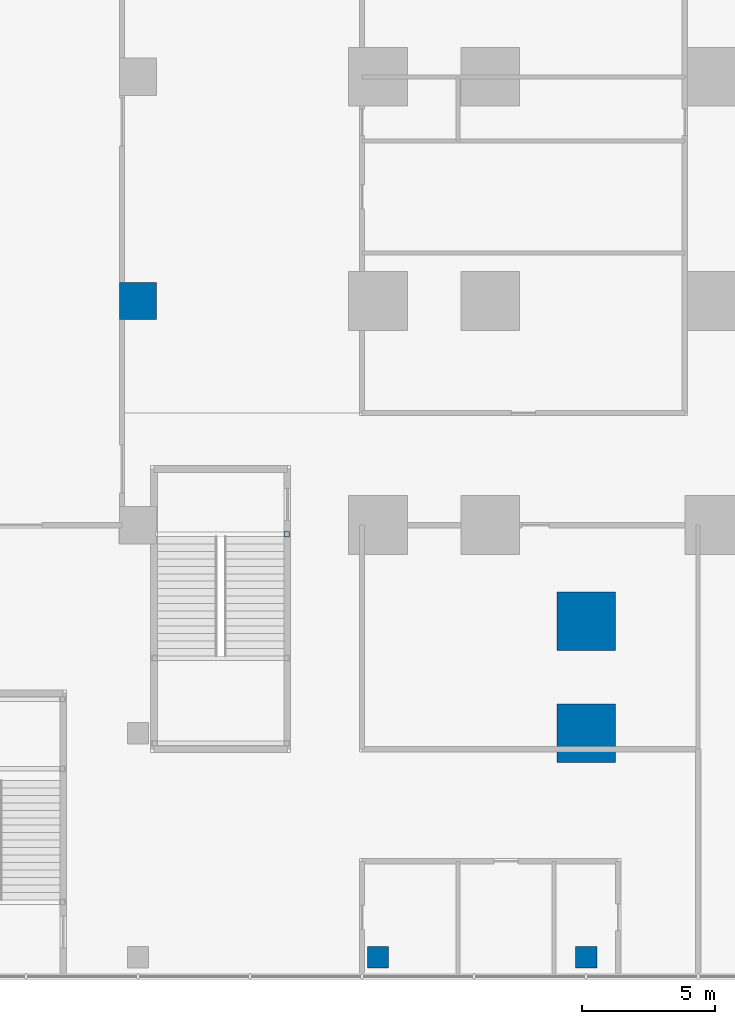
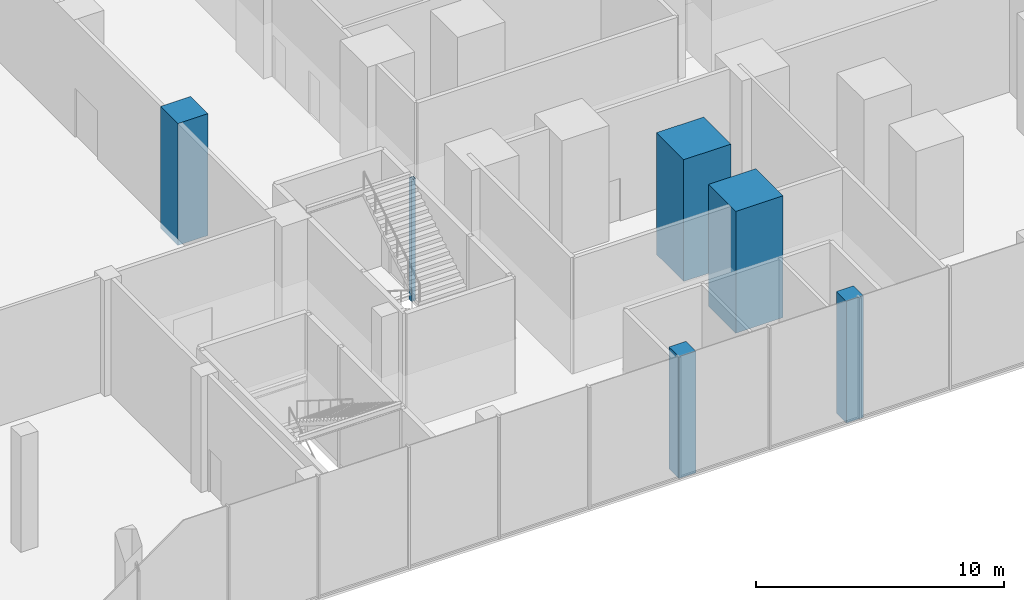
# One storey, part 4 of 32: 6 columns.
"""IFC4 building model written with IfcOpenShell, lengths in metres."""

from ifc_helpers import new_model, si_unit, direction, frame, origin, origin_2d, place, context, subcontext, project, spatial, rectangle, hollow_rectangle, extrude, material, material_profile, profile_set, type_object, element, save


model = new_model("IFC4")

# Units and contexts
model_context = context("Model", 3, precision=1e-05, world=origin(), true_north=direction((0.0, 1.0)))
body_context = subcontext(model_context, "Body", "Model", "MODEL_VIEW")
ifc_project = project(units=[si_unit("LENGTHUNIT", "METRE"), si_unit("AREAUNIT", "SQUARE_METRE"), si_unit("VOLUMEUNIT", "CUBIC_METRE"), si_unit("PLANEANGLEUNIT", "RADIAN"), si_unit("MASSUNIT", "GRAM", prefix="KILO")], contexts=[model_context])

# Site, building, storey
site_placement = place(None, origin())
site = spatial("IfcSite", under=ifc_project, at=site_placement, CompositionType="ELEMENT")
building_placement = place(site_placement, origin())
building = spatial("IfcBuilding", under=site, at=building_placement, Name="Dunama Terrace Hotel", CompositionType="ELEMENT")
storey_placement = place(building_placement, frame((0.0, 0.0, 6.0)))
storey = spatial("IfcBuildingStorey", under=building, at=storey_placement, Name="L01", CompositionType="ELEMENT", Elevation=6.0)

# Columns
ifc_material_1 = material(Name="Concrete C50/60", Category="concrete")
ifc_material_profile_1 = material_profile(ifc_material_1, rectangle(XDim=1.39990234375, YDim=1.39990234375, at=origin_2d()), Name="RC 1400x1400")
ifc_profile_set_1 = profile_set([ifc_material_profile_1], Name="Concrete C50/60")
column_type_1 = type_object("IfcColumnType", Name="Column RC 1400x1400", PredefinedType="COLUMN", material=ifc_profile_set_1)
column_1_placement = place(storey_placement, frame((-8.39990234375, 16.800048828125, -0.300048828125), z_axis=(0.0, 0.0, 1.0), x_axis=(1.0, 0.0, 0.0)))
element("IfcColumn", 1, at=column_1_placement, inside=storey, type_object=column_type_1, Name="Column L01 -8.4/+16.8", PredefinedType="COLUMN", context=body_context, shape_type="SweptSolid", body=[
    extrude(rectangle(XDim=1.39990234375, YDim=1.39990234375, at=origin_2d()), origin(), (0.0, 0.0, 1.0), 6.0),
])
ifc_material_2 = material(Name="Concrete C60/75", Category="concrete")
ifc_material_profile_2 = material_profile(ifc_material_2, rectangle(XDim=2.199951171875, YDim=2.199951171875, at=origin_2d()), Name="RC 2200x2200")
ifc_profile_set_2 = profile_set([ifc_material_profile_2], Name="Concrete C60/75")
column_type_2 = type_object("IfcColumnType", Name="Column RC 2200x2200", PredefinedType="COLUMN", material=ifc_profile_set_2)
for number, where, z_axis, x_axis, name in (
    (2, (8.39990234375, 0.60009765625, -0.300048828125), (0.0, 0.0, 1.0), (1.0, 0.0, 0.0), "Column L01 +8.4/+0.6"),
    (3, (8.39990234375, 4.800048828125, -0.300048828125), (0.0, 0.0, 1.0), (1.0, 0.0, 0.0), "Column L01 +8.4/+4.8"),
):
    element("IfcColumn", number, at=place(storey_placement, frame(where, z_axis=z_axis, x_axis=x_axis)), inside=storey, type_object=column_type_2, Name=name, PredefinedType="COLUMN", context=body_context, shape_type="SweptSolid", body=[
        extrude(rectangle(XDim=2.199951171875, YDim=2.199951171875, at=origin_2d()), origin(), (0.0, 0.0, 1.0), 6.0),
    ])
ifc_material_3 = material(Name="Concrete C40/50", Category="concrete")
ifc_material_profile_3 = material_profile(ifc_material_3, rectangle(XDim=0.800048828125, YDim=0.800048828125, at=origin_2d()), Name="RC 800x800")
ifc_profile_set_3 = profile_set([ifc_material_profile_3], Name="Concrete C40/50")
column_type_3 = type_object("IfcColumnType", Name="Column RC 800x800", PredefinedType="COLUMN", material=ifc_profile_set_3)
for number, where, z_axis, x_axis, name in (
    (4, (0.60009765625, -7.800048828125, -0.300048828125), (0.0, 0.0, 1.0), (1.0, 0.0, 0.0), "Column L01 +0.6/-7.8"),
    (5, (8.39990234375, -7.800048828125, -0.300048828125), (0.0, 0.0, 1.0), (1.0, 0.0, 0.0), "Column L01 +8.4/-7.8"),
):
    element("IfcColumn", number, at=place(storey_placement, frame(where, z_axis=z_axis, x_axis=x_axis)), inside=storey, type_object=column_type_3, Name=name, PredefinedType="COLUMN", context=body_context, shape_type="SweptSolid", body=[
        extrude(rectangle(XDim=0.800048828125, YDim=0.800048828125, at=origin_2d()), origin(), (0.0, 0.0, 1.0), 6.0),
    ])
ifc_material_4 = material(Name="Steel S355", Category="steel")
ifc_material_profile_4 = material_profile(ifc_material_4, hollow_rectangle(XDim=0.199951171875, YDim=0.199951171875, WallThickness=0.010009765625, at=origin_2d()), Name="SHS 200x200x10")
ifc_profile_set_4 = profile_set([ifc_material_profile_4], Name="Steel S355")
column_type_4 = type_object("IfcColumnType", Name="Stair post SHS 200x200x10", PredefinedType="COLUMN", material=ifc_profile_set_4)
column_2_placement = place(storey_placement, frame((-2.824951171875, 8.0576171875, -0.300048828125), z_axis=(0.0, 0.0, 1.0), x_axis=(1.0, 0.0, 0.0)))
element("IfcColumn", 6, at=column_2_placement, inside=storey, type_object=column_type_4, Name="Stair post P4 L01 -2.83/+8.06", PredefinedType="COLUMN", context=body_context, shape_type="SweptSolid", body=[
    extrude(hollow_rectangle(XDim=0.199951171875, YDim=0.199951171875, WallThickness=0.010009765625, at=origin_2d()), origin(), (0.0, 0.0, 1.0), 6.0),
])

save(model, "model.ifc")
